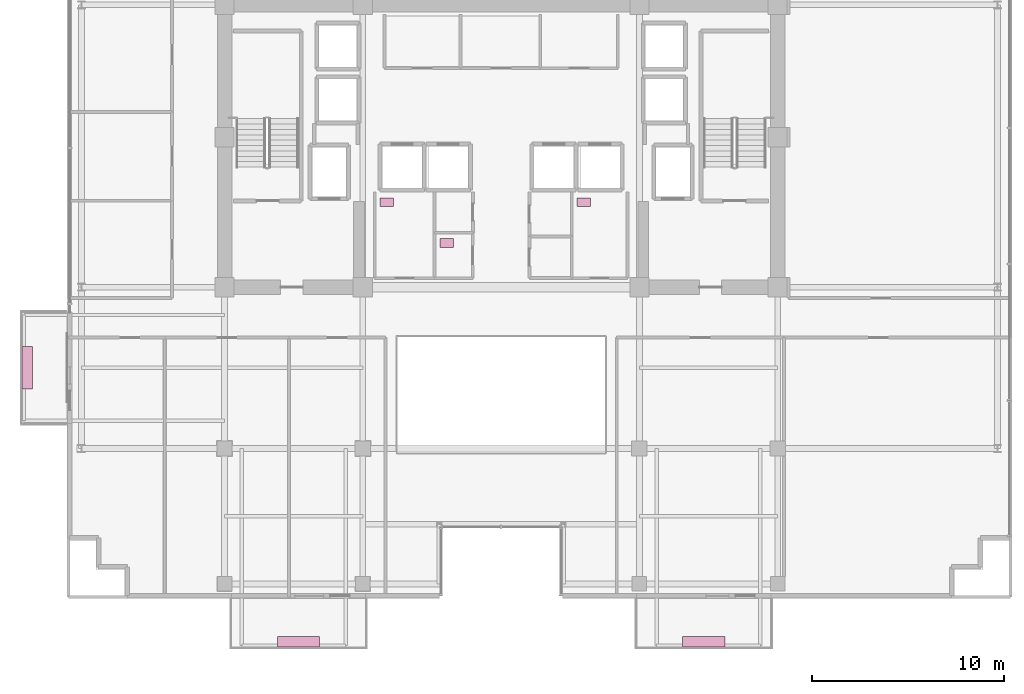
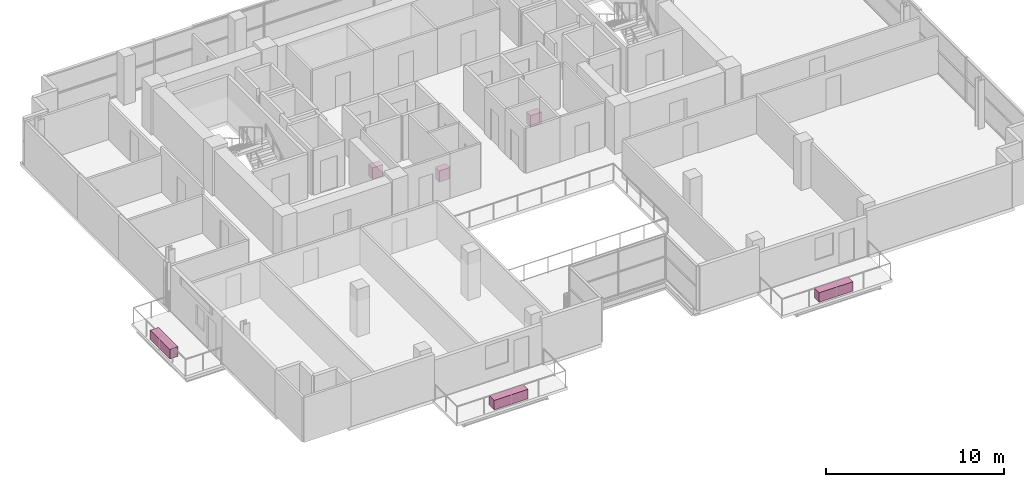
# One storey, part 22 of 22: 6 furnishings.
"""IFC4 building model written with IfcOpenShell, lengths in metres."""

from ifc_helpers import new_model, si_unit, direction, frame, origin, origin_2d, place, context, subcontext, project, spatial, rectangle, extrude, source, transform, mapped, material, type_object, element, save


model = new_model("IFC4")

# Units and contexts
model_context = context("Model", 3, precision=1e-05, world=origin(), true_north=direction((0.0, 1.0)))
body_context = subcontext(model_context, "Body", "Model", "MODEL_VIEW")
ifc_project = project(units=[si_unit("LENGTHUNIT", "METRE"), si_unit("AREAUNIT", "SQUARE_METRE"), si_unit("VOLUMEUNIT", "CUBIC_METRE"), si_unit("PLANEANGLEUNIT", "RADIAN"), si_unit("MASSUNIT", "GRAM", prefix="KILO")], contexts=[model_context])

# Site, building, storey
site_placement = place(None, origin())
site = spatial("IfcSite", under=ifc_project, at=site_placement, CompositionType="ELEMENT")
building_placement = place(site_placement, origin())
building = spatial("IfcBuilding", under=site, at=building_placement, Name="Zarnakvel Exchange Tower", CompositionType="ELEMENT")
storey_placement = place(building_placement, frame((0.0, 0.0, 179.199951171875)))
storey = spatial("IfcBuildingStorey", under=building, at=storey_placement, Name="L50", CompositionType="ELEMENT", Elevation=179.199951171875)

# Furnishings
ifc_material_1 = material(Name="Architectural Bronze Anodised Aluminium", Category="aluminium")
furnishing_element_type_1 = type_object("IfcFurnishingElementType", Name="PLNT-01", material=ifc_material_1)
shared_shape_1 = source(origin(), body_context, "Body", "SweptSolid", [
    extrude(rectangle(XDim=2.199951171875, YDim=0.550048828125, at=origin_2d()), origin(), (0.0, 0.0, 1.0), 0.64990234375),
])
for number, where, z_axis, x_axis, name in (
    (1, (-10.550048828125, -19.669921875, -0.034912109375), (0.0, 0.0, 1.0), (1.0, 0.0, 0.0), "L50 Balcony Greenery Planter BAL-L50-SW"),
    (2, (10.550048828125, -19.669921875, -0.034912109375), (0.0, 0.0, 1.0), (1.0, 0.0, 0.0), "L50 Balcony Greenery Planter BAL-L50-SE"),
    (3, (-24.669921875, -5.39990234375, -0.034912109375), (0.0, 0.0, 1.0), (0.0, 1.0, 0.0), "L50 Balcony Greenery Planter BAL-L50-W"),
):
    element("IfcFurnishingElement", number, at=place(storey_placement, frame(where, z_axis=z_axis, x_axis=x_axis)), inside=storey, type_object=furnishing_element_type_1, Name=name, ObjectType="PLANTER", context=body_context, shape_type="MappedRepresentation", body=[
        mapped(shared_shape_1, transform((0.0, 0.0, 0.0), x_axis=(1.0, 0.0, 0.0), y_axis=(0.0, 1.0, 0.0), z_axis=(0.0, 0.0, 1.0), scale=1.0)),
    ])
ifc_material_2 = material(Name="Vitreous China Sanitaryware", Category="ceramic")
furnishing_element_type_2 = type_object("IfcFurnishingElementType", Name="SAN-WC", material=ifc_material_2)
shared_shape_2 = source(origin(), body_context, "Body", "SweptSolid", [
    extrude(rectangle(XDim=0.699951171875, YDim=0.449951171875, at=origin_2d()), origin(), (0.0, 0.0, 1.0), 0.780029296875),
])
for number, where, z_axis, x_axis, name in (
    (4, (-5.949951171875, 3.22998046875, 0.0), (0.0, 0.0, 1.0), (1.0, 0.0, 0.0), "L50 Sanitary Fixture (Male Toilet)"),
    (5, (-2.840087890625, 1.10009765625, 0.0), (0.0, 0.0, 1.0), (1.0, 0.0, 0.0), "L50 Sanitary Fixture (Accessible Toilet)"),
    (6, (4.31005859375, 3.22998046875, 0.0), (0.0, 0.0, 1.0), (1.0, 0.0, 0.0), "L50 Sanitary Fixture (Female Toilet)"),
):
    element("IfcFurnishingElement", number, at=place(storey_placement, frame(where, z_axis=z_axis, x_axis=x_axis)), inside=storey, type_object=furnishing_element_type_2, Name=name, ObjectType="SANITARY_FIXTURE", context=body_context, shape_type="MappedRepresentation", body=[
        mapped(shared_shape_2, transform((0.0, 0.0, 0.0), x_axis=(1.0, 0.0, 0.0), y_axis=(0.0, 1.0, 0.0), z_axis=(0.0, 0.0, 1.0), scale=1.0)),
    ])

save(model, "model.ifc")
